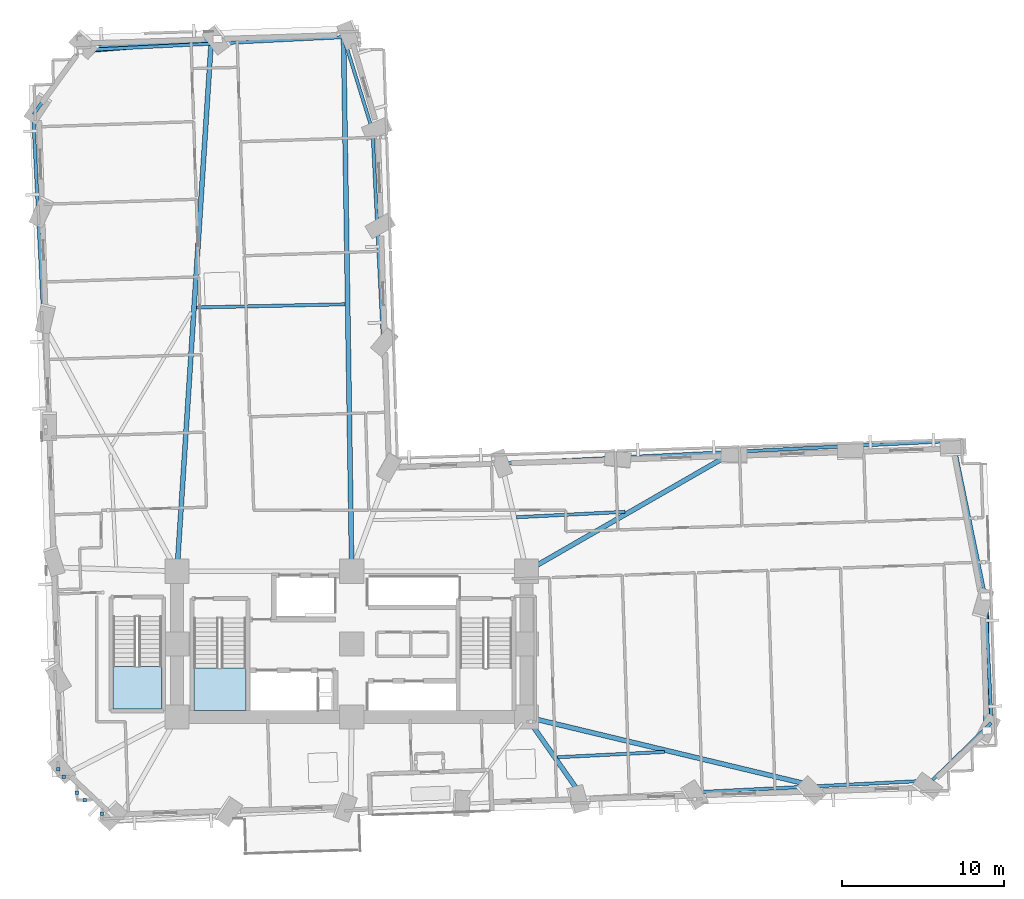
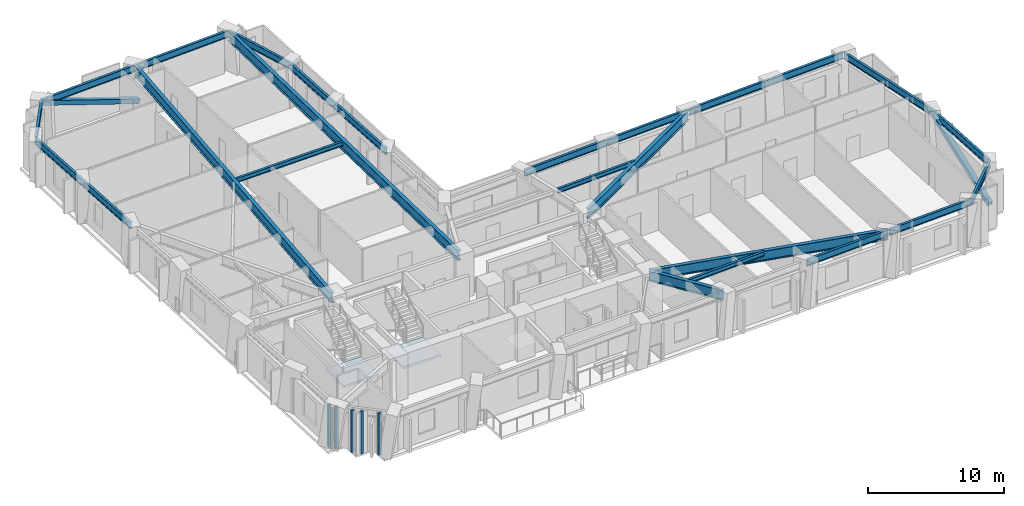
# One storey, part 2 of 14: 25 beams, 5 plates, 2 members, 2 slabs, 2 elements without a shape of their own.
"""IFC4 building model written with IfcOpenShell, lengths in metres."""

from ifc_helpers import new_model, si_unit, direction, frame, origin, origin_2d, place, context, subcontext, project, spatial, polyline, rectangle, hollow_rectangle, i_section, outline, extrude, material, layer, layer_set, material_profile, profile_set, type_object, element, aggregate, save


model = new_model("IFC4")

# Units and contexts
model_context = context("Model", 3, precision=1e-05, world=origin(), true_north=direction((0.0, 1.0)))
body_context = subcontext(model_context, "Body", "Model", "MODEL_VIEW")
ifc_project = project(units=[si_unit("LENGTHUNIT", "METRE"), si_unit("AREAUNIT", "SQUARE_METRE"), si_unit("VOLUMEUNIT", "CUBIC_METRE"), si_unit("PLANEANGLEUNIT", "RADIAN"), si_unit("MASSUNIT", "GRAM", prefix="KILO")], contexts=[model_context])

# Site, building, storey
site_placement = place(None, origin())
site = spatial("IfcSite", under=ifc_project, at=site_placement, CompositionType="ELEMENT")
building_placement = place(site_placement, origin())
building = spatial("IfcBuilding", under=site, at=building_placement, Name="Gaonmaruhae Medical Tower", CompositionType="ELEMENT")
storey_placement = place(building_placement, frame((0.0, 0.0, 31.0)))
storey = spatial("IfcBuildingStorey", under=building, at=storey_placement, Name="L06", CompositionType="ELEMENT", Elevation=31.0)

# Beams
ifc_material_1 = material(Name="Steel SM355", Category="steel")
ifc_material_profile_1 = material_profile(ifc_material_1, i_section(OverallWidth=0.199951171875, OverallDepth=0.39990234375, WebThickness=0.008056640625, FlangeThickness=0.012939453125, FilletRadius=0.012939453125, at=origin_2d()), Name="H-400x200x8x13")
ifc_profile_set_1 = profile_set([ifc_material_profile_1], Name="Steel SM355")
beam_type_1 = type_object("IfcBeamType", Name="FJ-01 Lower Zone Ward Floor Joist (H-400x200x8x13)", PredefinedType="JOIST", material=ifc_profile_set_1)
beam_1_placement = place(storey_placement, frame((37.533203125, 5.307373046875, 3.580078125), z_axis=(0.998763997966, 0.049703886846, 0.0), x_axis=(-0.049703886846, 0.998763997966, 0.0)))
element("IfcBeam", 1, at=beam_1_placement, inside=storey, type_object=beam_type_1, Name="L06 Secondary Floor Joist FJ03", PredefinedType="JOIST", context=body_context, shape_type="SweptSolid", body=[
    extrude(i_section(OverallWidth=0.199951171875, OverallDepth=0.39990234375, WebThickness=0.008056640625, FlangeThickness=0.012939453125, FilletRadius=0.012939453125, at=origin_2d()), origin(), (0.0, 0.0, 1.0), 6.6162109375),
])
beam_2_placement = place(storey_placement, frame((41.68896484375, 20.47705078125, 3.580078125), z_axis=(-0.998762577226, -0.049732427386, 0.0), x_axis=(0.049732427386, -0.998762577226, 0.0)))
element("IfcBeam", 2, at=beam_2_placement, inside=storey, type_object=beam_type_1, Name="L06 Secondary Floor Joist FJ05", PredefinedType="JOIST", context=body_context, shape_type="SweptSolid", body=[
    extrude(i_section(OverallWidth=0.199951171875, OverallDepth=0.39990234375, WebThickness=0.008056640625, FlangeThickness=0.012939453125, FilletRadius=0.012939453125, at=origin_2d()), origin(), (0.0, 0.0, 1.0), 6.705810546875),
])
beam_3_placement = place(storey_placement, frame((24.391357421875, 33.3056640625, 3.580078125), z_axis=(-0.999769888995, -0.021451551419, 0.0), x_axis=(0.021451551419, -0.999769888995, 0.0)))
element("IfcBeam", 3, at=beam_3_placement, inside=storey, type_object=beam_type_1, Name="L06 Secondary Floor Joist FJ08", PredefinedType="JOIST", context=body_context, shape_type="SweptSolid", body=[
    extrude(i_section(OverallWidth=0.199951171875, OverallDepth=0.39990234375, WebThickness=0.008056640625, FlangeThickness=0.012939453125, FilletRadius=0.012939453125, at=origin_2d()), origin(), (0.0, 0.0, 1.0), 9.1845703125),
])

# Members
ifc_material_2 = material(Name="Steel SM420", Category="steel")
ifc_material_profile_2 = material_profile(ifc_material_2, hollow_rectangle(XDim=0.39990234375, YDim=0.39990234375, WallThickness=0.01611328125, at=origin_2d()), Name="RHS-400x400x16")
ifc_profile_set_2 = profile_set([ifc_material_profile_2], Name="Steel SM420")
member_type = type_object("IfcMemberType", Name="PB-01 Perimeter Solid-Bay Tube Brace Lower (RHS-400x400x16)", PredefinedType="BRACE", material=ifc_profile_set_2)
member_1_placement = place(storey_placement, frame((64.05859375, 6.949951171875, 0.25), z_axis=(-0.010780011564, 0.9299264798, 0.367587450162), x_axis=(-0.999932815752, -0.011591547882, 0.0)))
element("IfcMember", 4, at=member_1_placement, inside=storey, type_object=member_type, Name="L06 Perimeter Tube Solid-Bay Brace E01-E02", PredefinedType="BRACE", context=body_context, shape_type="SweptSolid", body=[
    extrude(hollow_rectangle(XDim=0.39990234375, YDim=0.39990234375, WallThickness=0.01611328125, at=origin_2d()), origin(), (0.0, 0.0, 1.0), 8.923095703125),
])
member_2_placement = place(storey_placement, frame((16.51513671875, 49.697265625, 0.25), z_axis=(-0.931706575861, -0.075219959172, 0.355337606004), x_axis=(0.080471700854, -0.996756893812, 0.0)))
element("IfcMember", 5, at=member_2_placement, inside=storey, type_object=member_type, Name="L06 Perimeter Tube Solid-Bay Brace N02-N03", PredefinedType="BRACE", context=body_context, shape_type="SweptSolid", body=[
    extrude(hollow_rectangle(XDim=0.39990234375, YDim=0.39990234375, WallThickness=0.01611328125, at=origin_2d()), origin(), (0.0, 0.0, 1.0), 9.230712890625),
])

# Beams
ifc_material_profile_3 = material_profile(ifc_material_2, i_section(OverallWidth=0.300048828125, OverallDepth=0.89990234375, WebThickness=0.01611328125, FlangeThickness=0.028076171875, FilletRadius=0.01806640625, at=origin_2d()), Name="H-900x300x16x28")
ifc_profile_set_3 = profile_set([ifc_material_profile_3], Name="Steel SM420")
beam_type_2 = type_object("IfcBeamType", Name="PG-01 Zone 1 Radial Floor Girder (H-900x300x16x28)", PredefinedType="BEAM", material=ifc_profile_set_3)
beam_4_placement = place(storey_placement, frame((35.628662109375, 7.759033203125, 3.330078125), z_axis=(0.573271387895, -0.819365556892, 0.0), x_axis=(0.819365556892, 0.573271387895, 0.0)))
element("IfcBeam", 6, at=beam_4_placement, inside=storey, type_object=beam_type_2, Name="L06 Radial Primary Girder S05", PredefinedType="BEAM", context=body_context, shape_type="SweptSolid", body=[
    extrude(i_section(OverallWidth=0.300048828125, OverallDepth=0.89990234375, WebThickness=0.01611328125, FlangeThickness=0.028076171875, FilletRadius=0.01806640625, at=origin_2d()), origin(), (0.0, 0.0, 1.0), 6.0068359375),
])
beam_5_placement = place(storey_placement, frame((35.648681640625, 7.788330078125, 3.330078125), z_axis=(0.972438774063, -0.233158381147, 0.0), x_axis=(0.233158381147, 0.972438774063, 0.0)))
element("IfcBeam", 7, at=beam_5_placement, inside=storey, type_object=beam_type_2, Name="L06 Radial Primary Girder S07", PredefinedType="BEAM", context=body_context, shape_type="SweptSolid", body=[
    extrude(i_section(OverallWidth=0.300048828125, OverallDepth=0.89990234375, WebThickness=0.01611328125, FlangeThickness=0.028076171875, FilletRadius=0.01806640625, at=origin_2d()), origin(), (0.0, 0.0, 1.0), 18.289794921875),
])
beam_6_placement = place(storey_placement, frame((35.643310546875, 16.824951171875, 3.330078125), z_axis=(0.866924577077, 0.498439342007, 0.0), x_axis=(-0.498439342007, 0.866924577077, 0.0)))
element("IfcBeam", 8, at=beam_6_placement, inside=storey, type_object=beam_type_2, Name="L06 Radial Primary Girder EN02", PredefinedType="BEAM", context=body_context, shape_type="SweptSolid", body=[
    extrude(i_section(OverallWidth=0.300048828125, OverallDepth=0.89990234375, WebThickness=0.01611328125, FlangeThickness=0.028076171875, FilletRadius=0.01806640625, at=origin_2d()), origin(), (0.0, 0.0, 1.0), 14.72119140625),
])
beam_7_placement = place(storey_placement, frame((24.79931640625, 16.85009765625, 3.330078125), z_axis=(-0.015306032013, 0.999882855831, 0.0), x_axis=(-0.999882855831, -0.015306032013, 0.0)))
element("IfcBeam", 9, at=beam_7_placement, inside=storey, type_object=beam_type_2, Name="L06 Radial Primary Girder N01", PredefinedType="BEAM", context=body_context, shape_type="SweptSolid", body=[
    extrude(i_section(OverallWidth=0.300048828125, OverallDepth=0.89990234375, WebThickness=0.01611328125, FlangeThickness=0.028076171875, FilletRadius=0.01806640625, at=origin_2d()), origin(), (0.0, 0.0, 1.0), 32.922119140625),
])
beam_8_placement = place(storey_placement, frame((14.003173828125, 16.849853515625, 3.330078125), z_axis=(0.064410444328, 0.997923491387, 0.0), x_axis=(-0.997923491387, 0.064410444328, 0.0)))
element("IfcBeam", 10, at=beam_8_placement, inside=storey, type_object=beam_type_2, Name="L06 Radial Primary Girder N02", PredefinedType="BEAM", context=body_context, shape_type="SweptSolid", body=[
    extrude(i_section(OverallWidth=0.300048828125, OverallDepth=0.89990234375, WebThickness=0.01611328125, FlangeThickness=0.028076171875, FilletRadius=0.01806640625, at=origin_2d()), origin(), (0.0, 0.0, 1.0), 32.578369140625),
])
ifc_material_profile_4 = material_profile(ifc_material_1, i_section(OverallWidth=0.199951171875, OverallDepth=0.60009765625, WebThickness=0.010986328125, FlangeThickness=0.01708984375, FilletRadius=0.012939453125, at=origin_2d()), Name="H-600x200x11x17")
ifc_profile_set_4 = profile_set([ifc_material_profile_4], Name="Steel SM355")
beam_type_3 = type_object("IfcBeamType", Name="SP-01 Lower Perimeter Spandrel Beam (H-600x200x11x17)", PredefinedType="SPANDREL", material=ifc_profile_set_4)
for number, where, z_axis, x_axis, name in (
    (11, (46.331787109375, 3.15625, 3.47998046875), (0.998763259933, 0.049718714876, 0.0), (-0.049718714876, 0.998763259933, 0.0), "L06 Perimeter Spandrel Beam S06-S07"),
    (12, (53.52294921875, 3.51416015625, 3.47998046875), (0.998761556665, 0.049752918797, 0.0), (-0.049752918797, 0.998761556665, 0.0), "L06 Perimeter Spandrel Beam S07-S08"),
):
    element("IfcBeam", number, at=place(storey_placement, frame(where, z_axis=z_axis, x_axis=x_axis)), inside=storey, type_object=beam_type_3, Name=name, PredefinedType="SPANDREL", context=body_context, shape_type="SweptSolid", body=[
        extrude(i_section(OverallWidth=0.199951171875, OverallDepth=0.60009765625, WebThickness=0.010986328125, FlangeThickness=0.01708984375, FilletRadius=0.012939453125, at=origin_2d()), origin(), (0.0, 0.0, 1.0), 7.1201171875),
    ])
beam_9_placement = place(storey_placement, frame((60.702880859375, 3.898193359375, 3.47998046875), z_axis=(0.715720725449, 0.698386600074, 0.0), x_axis=(-0.698386600074, 0.715720725449, 0.0)))
element("IfcBeam", 13, at=beam_9_placement, inside=storey, type_object=beam_type_3, Name="L06 Perimeter Spandrel Beam S08-E01", PredefinedType="SPANDREL", context=body_context, shape_type="SweptSolid", body=[
    extrude(i_section(OverallWidth=0.199951171875, OverallDepth=0.60009765625, WebThickness=0.010986328125, FlangeThickness=0.01708984375, FilletRadius=0.012939453125, at=origin_2d()), origin(), (0.0, 0.0, 1.0), 5.056396484375),
])
beam_10_placement = place(storey_placement, frame((64.348388671875, 7.49755859375, 3.47998046875), z_axis=(-0.049713641998, 0.998763512449, 0.0), x_axis=(-0.998763512449, -0.049713641998, 0.0)))
element("IfcBeam", 14, at=beam_10_placement, inside=storey, type_object=beam_type_3, Name="L06 Perimeter Spandrel Beam E01-E02", PredefinedType="SPANDREL", context=body_context, shape_type="SweptSolid", body=[
    extrude(i_section(OverallWidth=0.199951171875, OverallDepth=0.60009765625, WebThickness=0.010986328125, FlangeThickness=0.01708984375, FilletRadius=0.012939453125, at=origin_2d()), origin(), (0.0, 0.0, 1.0), 7.719970703125),
])
beam_11_placement = place(storey_placement, frame((63.954345703125, 15.287109375, 3.47998046875), z_axis=(-0.201755522374, 0.979435913775, 0.0), x_axis=(-0.979435913775, -0.201755522374, 0.0)))
element("IfcBeam", 15, at=beam_11_placement, inside=storey, type_object=beam_type_3, Name="L06 Perimeter Spandrel Beam E02-E03", PredefinedType="SPANDREL", context=body_context, shape_type="SweptSolid", body=[
    extrude(i_section(OverallWidth=0.199951171875, OverallDepth=0.60009765625, WebThickness=0.010986328125, FlangeThickness=0.01708984375, FilletRadius=0.012939453125, at=origin_2d()), origin(), (0.0, 0.0, 1.0), 9.735107421875),
])
beam_12_placement = place(storey_placement, frame((61.942138671875, 24.859375, 3.47998046875), z_axis=(-0.998762997314, -0.049723990159, 0.0), x_axis=(0.049723990159, -0.998762997314, 0.0)))
element("IfcBeam", 16, at=beam_12_placement, inside=storey, type_object=beam_type_3, Name="L06 Perimeter Spandrel Beam E03-EN01", PredefinedType="SPANDREL", context=body_context, shape_type="SweptSolid", body=[
    extrude(i_section(OverallWidth=0.199951171875, OverallDepth=0.60009765625, WebThickness=0.010986328125, FlangeThickness=0.01708984375, FilletRadius=0.012939453125, at=origin_2d()), origin(), (0.0, 0.0, 1.0), 6.27001953125),
])
beam_13_placement = place(storey_placement, frame((55.599853515625, 24.54345703125, 3.47998046875), z_axis=(-0.998763175168, -0.049720417619, 0.0), x_axis=(0.049720417619, -0.998763175168, 0.0)))
element("IfcBeam", 17, at=beam_13_placement, inside=storey, type_object=beam_type_3, Name="L06 Perimeter Spandrel Beam EN01-EN02", PredefinedType="SPANDREL", context=body_context, shape_type="SweptSolid", body=[
    extrude(i_section(OverallWidth=0.199951171875, OverallDepth=0.60009765625, WebThickness=0.010986328125, FlangeThickness=0.01708984375, FilletRadius=0.012939453125, at=origin_2d()), origin(), (0.0, 0.0, 1.0), 7.119873046875),
])
beam_14_placement = place(storey_placement, frame((48.408935546875, 24.185546875, 3.47998046875), z_axis=(-0.998763259933, -0.049718714876, 0.0), x_axis=(0.049718714876, -0.998763259933, 0.0)))
element("IfcBeam", 18, at=beam_14_placement, inside=storey, type_object=beam_type_3, Name="L06 Perimeter Spandrel Beam EN02-EN03", PredefinedType="SPANDREL", context=body_context, shape_type="SweptSolid", body=[
    extrude(i_section(OverallWidth=0.199951171875, OverallDepth=0.60009765625, WebThickness=0.010986328125, FlangeThickness=0.01708984375, FilletRadius=0.012939453125, at=origin_2d()), origin(), (0.0, 0.0, 1.0), 7.1201171875),
])
beam_15_placement = place(storey_placement, frame((41.2177734375, 23.82763671875, 3.47998046875), z_axis=(-0.998763175168, -0.049720417619, 0.0), x_axis=(0.049720417619, -0.998763175168, 0.0)))
element("IfcBeam", 19, at=beam_15_placement, inside=storey, type_object=beam_type_3, Name="L06 Perimeter Spandrel Beam EN03-EN04", PredefinedType="SPANDREL", context=body_context, shape_type="SweptSolid", body=[
    extrude(i_section(OverallWidth=0.199951171875, OverallDepth=0.60009765625, WebThickness=0.010986328125, FlangeThickness=0.01708984375, FilletRadius=0.012939453125, at=origin_2d()), origin(), (0.0, 0.0, 1.0), 7.119873046875),
])
beam_16_placement = place(storey_placement, frame((26.73779296875, 30.90625, 3.47998046875), z_axis=(-0.049718714876, 0.998763259933, 0.0), x_axis=(-0.998763259933, -0.049718714876, 0.0)))
element("IfcBeam", 20, at=beam_16_placement, inside=storey, type_object=beam_type_3, Name="L06 Perimeter Spandrel Beam NE01-NE02", PredefinedType="SPANDREL", context=body_context, shape_type="SweptSolid", body=[
    extrude(i_section(OverallWidth=0.199951171875, OverallDepth=0.60009765625, WebThickness=0.010986328125, FlangeThickness=0.01708984375, FilletRadius=0.012939453125, at=origin_2d()), origin(), (0.0, 0.0, 1.0), 7.1201171875),
])
beam_17_placement = place(storey_placement, frame((26.3798828125, 38.097412109375, 3.47998046875), z_axis=(-0.04973604142, 0.998762397262, 0.0), x_axis=(-0.998762397262, -0.04973604142, 0.0)))
element("IfcBeam", 21, at=beam_17_placement, inside=storey, type_object=beam_type_3, Name="L06 Perimeter Spandrel Beam NE02-NE03", PredefinedType="SPANDREL", context=body_context, shape_type="SweptSolid", body=[
    extrude(i_section(OverallWidth=0.199951171875, OverallDepth=0.60009765625, WebThickness=0.010986328125, FlangeThickness=0.01708984375, FilletRadius=0.012939453125, at=origin_2d()), origin(), (0.0, 0.0, 1.0), 5.919921875),
])
beam_18_placement = place(storey_placement, frame((26.07177734375, 44.08837890625, 3.47998046875), z_axis=(-0.296247154644, 0.955111314646, 0.0), x_axis=(-0.955111314646, -0.296247154644, 0.0)))
element("IfcBeam", 22, at=beam_18_placement, inside=storey, type_object=beam_type_3, Name="L06 Perimeter Spandrel Beam NE03-N01", PredefinedType="SPANDREL", context=body_context, shape_type="SweptSolid", body=[
    extrude(i_section(OverallWidth=0.199951171875, OverallDepth=0.60009765625, WebThickness=0.010986328125, FlangeThickness=0.01708984375, FilletRadius=0.012939453125, at=origin_2d()), origin(), (0.0, 0.0, 1.0), 5.959228515625),
])
beam_19_placement = place(storey_placement, frame((24.254638671875, 49.816162109375, 3.47998046875), z_axis=(-0.998764231871, -0.049699186468, 0.0), x_axis=(0.049699186468, -0.998764231871, 0.0)))
element("IfcBeam", 23, at=beam_19_placement, inside=storey, type_object=beam_type_3, Name="L06 Perimeter Spandrel Beam N01-N02", PredefinedType="SPANDREL", context=body_context, shape_type="SweptSolid", body=[
    extrude(i_section(OverallWidth=0.199951171875, OverallDepth=0.60009765625, WebThickness=0.010986328125, FlangeThickness=0.01708984375, FilletRadius=0.012939453125, at=origin_2d()), origin(), (0.0, 0.0, 1.0), 8.1201171875),
])
beam_20_placement = place(storey_placement, frame((16.064697265625, 49.408447265625, 3.47998046875), z_axis=(-0.998764157604, -0.049700678925, 0.0), x_axis=(0.049700678925, -0.998764157604, 0.0)))
element("IfcBeam", 24, at=beam_20_placement, inside=storey, type_object=beam_type_3, Name="L06 Perimeter Spandrel Beam N02-N03", PredefinedType="SPANDREL", context=body_context, shape_type="SweptSolid", body=[
    extrude(i_section(OverallWidth=0.199951171875, OverallDepth=0.60009765625, WebThickness=0.010986328125, FlangeThickness=0.01708984375, FilletRadius=0.012939453125, at=origin_2d()), origin(), (0.0, 0.0, 1.0), 8.119873046875),
])
beam_21_placement = place(storey_placement, frame((7.891845703125, 48.97021484375, 3.47998046875), z_axis=(-0.574652887792, -0.818397249844, 0.0), x_axis=(0.818397249844, -0.574652887792, 0.0)))
element("IfcBeam", 25, at=beam_21_placement, inside=storey, type_object=beam_type_3, Name="L06 Perimeter Spandrel Beam N03-W01", PredefinedType="SPANDREL", context=body_context, shape_type="SweptSolid", body=[
    extrude(i_section(OverallWidth=0.199951171875, OverallDepth=0.60009765625, WebThickness=0.010986328125, FlangeThickness=0.01708984375, FilletRadius=0.012939453125, at=origin_2d()), origin(), (0.0, 0.0, 1.0), 4.80078125),
])
beam_22_placement = place(storey_placement, frame((5.112060546875, 44.968505859375, 3.47998046875), z_axis=(0.049716050521, -0.998763392561, 0.0), x_axis=(0.998763392561, 0.049716050521, 0.0)))
element("IfcBeam", 26, at=beam_22_placement, inside=storey, type_object=beam_type_3, Name="L06 Perimeter Spandrel Beam W01-W02", PredefinedType="SPANDREL", context=body_context, shape_type="SweptSolid", body=[
    extrude(i_section(OverallWidth=0.199951171875, OverallDepth=0.60009765625, WebThickness=0.010986328125, FlangeThickness=0.01708984375, FilletRadius=0.012939453125, at=origin_2d()), origin(), (0.0, 0.0, 1.0), 6.320068359375),
])
beam_23_placement = place(storey_placement, frame((5.43017578125, 38.576416015625, 3.47998046875), z_axis=(0.04972658078, -0.998762868335, 0.0), x_axis=(0.998762868335, 0.04972658078, 0.0)))
element("IfcBeam", 27, at=beam_23_placement, inside=storey, type_object=beam_type_3, Name="L06 Perimeter Spandrel Beam W02-W03", PredefinedType="SPANDREL", context=body_context, shape_type="SweptSolid", body=[
    extrude(i_section(OverallWidth=0.199951171875, OverallDepth=0.60009765625, WebThickness=0.010986328125, FlangeThickness=0.01708984375, FilletRadius=0.012939453125, at=origin_2d()), origin(), (0.0, 0.0, 1.0), 6.52001953125),
])

# Plates
ifc_material_3 = material(Name="Anodised aluminium 6063-T6", Category="aluminium")
ifc_layer_1 = layer(ifc_material_3, 0.011962890625)
ifc_layer_set_1 = layer_set([ifc_layer_1], Name="Anodised aluminium 6063-T6")
plate_type = type_object("IfcPlateType", Name="PP-01 Interior Partition Corner Stiffener Plate", PredefinedType="SHEET", material=ifc_layer_set_1)
for number, where, z_axis, x_axis, name in (
    (28, (9.348388671875, 1.822509765625, 0.0), (0.0, 0.0, 1.0), (-0.032841190212, 0.999460582627, 0.0), "L06 Partition Corner Stiffener Plate PLT-L06-JGP-PW013"),
    (29, (8.300048828125, 2.64892578125, 0.0), (0.0, 0.0, 1.0), (-0.999442667544, -0.033381945594, 0.0), "L06 Partition Corner Stiffener Plate PLT-L06-JGP-PW014"),
    (30, (7.804931640625, 3.112548828125, 0.0), (0.0, 0.0, 1.0), (-0.033347058443, 0.999443832185, 0.0), "L06 Partition Corner Stiffener Plate PLT-L06-JGP-PW015"),
    (31, (6.991455078125, 4.1064453125, 0.0), (0.0, 0.0, 1.0), (-0.999460582627, -0.032841190212, 0.0), "L06 Partition Corner Stiffener Plate PLT-L06-JGP-PW016"),
    (32, (6.656005859375, 4.575439453125, 0.0), (0.0, 0.0, 1.0), (-0.033347058443, 0.999443832185, 0.0), "L06 Partition Corner Stiffener Plate PLT-L06-JGP-PW017"),
):
    element("IfcPlate", number, at=place(storey_placement, frame(where, z_axis=z_axis, x_axis=x_axis)), inside=storey, type_object=plate_type, Name=name, PredefinedType="SHEET", context=body_context, shape_type="SweptSolid", body=[
        extrude(rectangle(XDim=0.219970703125, YDim=0.219970703125, at=origin_2d()), origin(), (0.0, 0.0, 1.0), 3.780029296875),
    ])

# Stair, slab
ifc_material_4 = material(Name="Concrete C40/50", Category="concrete")
stair_type_1 = type_object("IfcStairType", Name="ST-T1 Primary Core Escape Dogleg Stair", PredefinedType="TWO_QUARTER_TURN_STAIR", material=ifc_material_4)
stair_1_placement = place(storey_placement, origin())
stair_1 = element("IfcStair", 33, at=stair_1_placement, inside=storey, type_object=stair_type_1, Name="L06 Protected Escape Stair ST-01", PredefinedType="TWO_QUARTER_TURN_STAIR")
ifc_layer_2 = layer(ifc_material_4, 0.199951171875)
ifc_layer_set_2 = layer_set([ifc_layer_2], Name="Concrete C40/50")
slab_type = type_object("IfcSlabType", Name="SL-200 Stair & Ramp Intermediate Concrete Landing", PredefinedType="LANDING", material=ifc_layer_set_2)
slab_1_placement = place(storey_placement, frame((0.0, 0.0, 1.800048828125)))
slab_1 = element("IfcSlab", 34, at=slab_1_placement, type_object=slab_type, Name="ST-01 landing 1", PredefinedType="LANDING", context=body_context, shape_type="SweptSolid", body=[
    extrude(outline(polyline([(15.050048828125, 10.820068359375), (15.050048828125, 8.2041015625), (18.25, 8.2041015625), (18.25, 10.820068359375), (15.050048828125, 10.820068359375)])), origin(), (0.0, 0.0, 1.0), 0.199951171875),
])
aggregate(stair_1, [slab_1])

stair_type_2 = type_object("IfcStairType", Name="ST-T2 Zone 1 Escape Dogleg Stair", PredefinedType="TWO_QUARTER_TURN_STAIR", material=ifc_material_4)
stair_2_placement = place(storey_placement, origin())
stair_2 = element("IfcStair", 35, at=stair_2_placement, inside=storey, type_object=stair_type_2, Name="L06 Protected Escape Stair ST-03", PredefinedType="TWO_QUARTER_TURN_STAIR")
slab_2_placement = place(storey_placement, frame((0.0, 0.0, 1.800048828125)))
slab_2 = element("IfcSlab", 36, at=slab_2_placement, type_object=slab_type, Name="ST-03 landing 1", PredefinedType="LANDING", context=body_context, shape_type="SweptSolid", body=[
    extrude(outline(polyline([(10.050048828125, 10.919921875), (10.050048828125, 8.300048828125), (13.050048828125, 8.300048828125), (13.050048828125, 10.919921875), (10.050048828125, 10.919921875)])), origin(), (0.0, 0.0, 1.0), 0.199951171875),
])
aggregate(stair_2, [slab_2])

save(model, "model.ifc")
